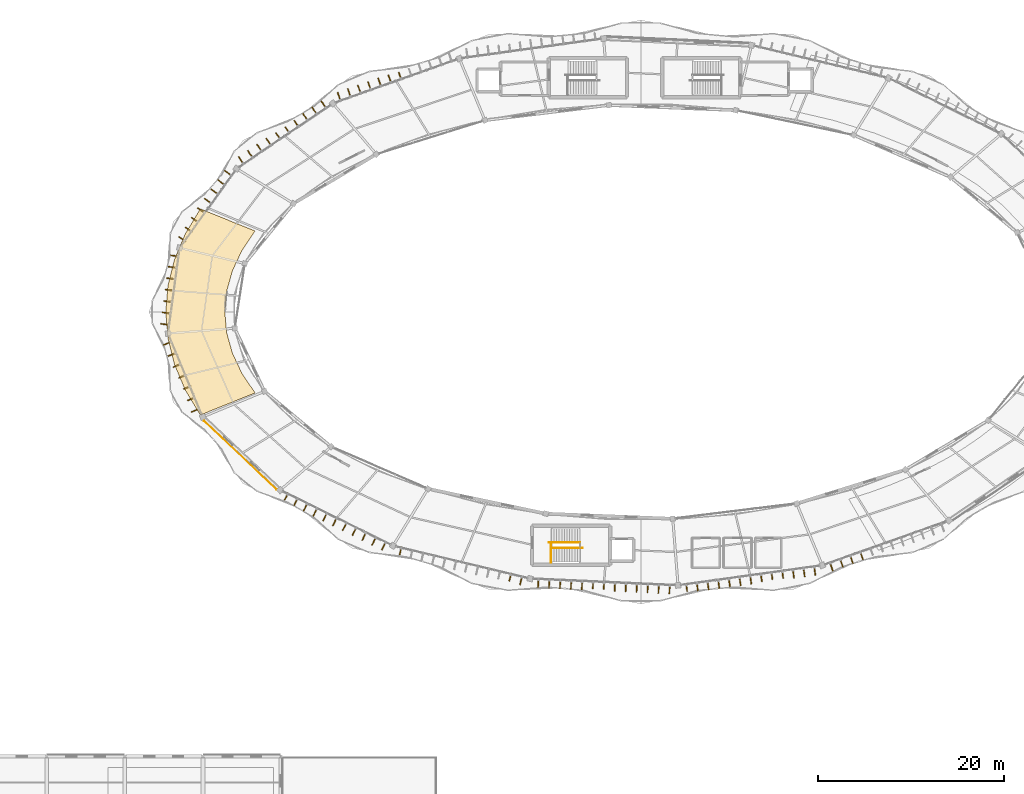
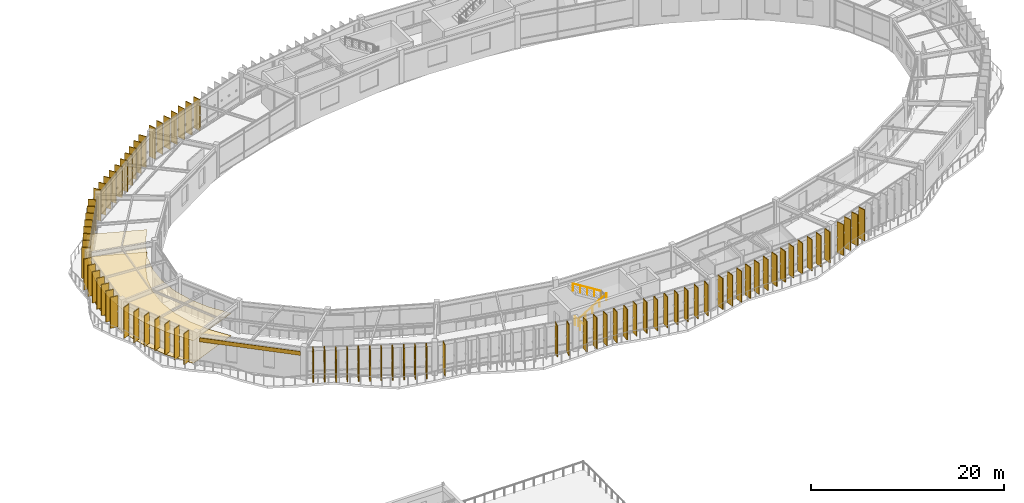
# One storey, part 79 of 83: 83 shading devices, 3 coverings, 3 railings.
"""IFC4 building model written with IfcOpenShell, lengths in metres."""

from ifc_helpers import new_model, si_unit, direction, frame, origin, origin_2d, place, context, subcontext, project, spatial, polyline, rectangle, circle, outline, extrude, material, layer, layer_set, type_object, element, save


model = new_model("IFC4")

# Units and contexts
model_context = context("Model", 3, precision=1e-05, world=origin(), true_north=direction((0.0, 1.0)))
body_context = subcontext(model_context, "Body", "Model", "MODEL_VIEW")
ifc_project = project(units=[si_unit("LENGTHUNIT", "METRE"), si_unit("AREAUNIT", "SQUARE_METRE"), si_unit("VOLUMEUNIT", "CUBIC_METRE"), si_unit("PLANEANGLEUNIT", "RADIAN"), si_unit("MASSUNIT", "GRAM", prefix="KILO"), si_unit("THERMODYNAMICTEMPERATUREUNIT", "KELVIN"), si_unit("POWERUNIT", "WATT")], contexts=[model_context])

# Site, building, storey
site_placement = place(None, origin())
site = spatial("IfcSite", under=ifc_project, at=site_placement, CompositionType="ELEMENT")
building_placement = place(site_placement, origin())
building = spatial("IfcBuilding", under=site, at=building_placement, Name="Darbajah Civic Hall", CompositionType="ELEMENT")
storey_placement = place(building_placement, frame((0.0, 0.0, 18.0)))
storey = spatial("IfcBuildingStorey", under=building, at=storey_placement, Name="L04", CompositionType="ELEMENT", Elevation=18.0)

# Railings
ifc_material_1 = material(Name="Brushed Bronze Stainless Steel", Category="steel")
railing_type_1 = type_object("IfcRailingType", Name="Brushed Bronze Handrail", PredefinedType="HANDRAIL", material=ifc_material_1)
railing_1_placement = place(storey_placement, frame((79.47998046875, 64.39990234375, 0.175048828125)))
element("IfcRailing", 1, at=railing_1_placement, inside=storey, type_object=railing_type_1, Name="ST03 L04 lower flight handrail", PredefinedType="HANDRAIL", context=body_context, shape_type="SweptSolid", body=[
    extrude(circle(Radius=0.02392578125, at=origin_2d()), frame((0.023193359375, 0.0, 0.910400390625), z_axis=(0.845944288966, 0.0, 0.533271281775), x_axis=(0.0, 1.0, 0.0)), (0.0, 0.0, 1.0), 3.91748046875),
    extrude(circle(Radius=0.02099609375, at=origin_2d()), origin(), (0.0, 0.0, 1.0), 0.867919921875),
    extrude(circle(Radius=0.02099609375, at=origin_2d()), frame((0.840087890625, 0.0, 0.529541015625)), (0.0, 0.0, 1.0), 0.867919921875),
    extrude(circle(Radius=0.02099609375, at=origin_2d()), frame((1.68017578125, 0.0, 1.05908203125)), (0.0, 0.0, 1.0), 0.867919921875),
    extrude(circle(Radius=0.02099609375, at=origin_2d()), frame((2.52001953125, 0.0, 1.588623046875)), (0.0, 0.0, 1.0), 0.867919921875),
    extrude(circle(Radius=0.02099609375, at=origin_2d()), frame((3.360107421875, 0.0, 2.1181640625)), (0.0, 0.0, 1.0), 0.867919921875),
])
railing_2_placement = place(storey_placement, frame((82.56005859375, 65.0, 2.27490234375)))
element("IfcRailing", 2, at=railing_2_placement, inside=storey, type_object=railing_type_1, Name="ST03 L04 upper flight handrail", PredefinedType="HANDRAIL", context=body_context, shape_type="SweptSolid", body=[
    extrude(circle(Radius=0.02392578125, at=origin_2d()), frame((-0.023193359375, 0.0, 0.910400390625), z_axis=(-0.845944288966, 0.0, 0.533271281775), x_axis=(0.0, -1.0, 0.0)), (0.0, 0.0, 1.0), 3.91748046875),
    extrude(circle(Radius=0.02099609375, at=origin_2d()), origin(), (0.0, 0.0, 1.0), 0.867919921875),
    extrude(circle(Radius=0.02099609375, at=origin_2d()), frame((-0.840087890625, 0.0, 0.529541015625)), (0.0, 0.0, 1.0), 0.867919921875),
    extrude(circle(Radius=0.02099609375, at=origin_2d()), frame((-1.68017578125, 0.0, 1.05908203125)), (0.0, 0.0, 1.0), 0.867919921875),
    extrude(circle(Radius=0.02099609375, at=origin_2d()), frame((-2.52001953125, 0.0, 1.588623046875)), (0.0, 0.0, 1.0), 0.867919921875),
    extrude(circle(Radius=0.02099609375, at=origin_2d()), frame((-3.360107421875, 0.0, 2.1181640625)), (0.0, 0.0, 1.0), 0.867919921875),
])

# Covering
ifc_material_2 = material(Name="Honed Qatari Limestone Terrazzo", Category="masonry")
ifc_layer_1 = layer(ifc_material_2, 0.030029296875, Name="Honed Qatari Limestone Terrazzo")
ifc_layer_set_1 = layer_set([ifc_layer_1], Name="Honed Qatari Limestone Terrazzo")
covering_type_1 = type_object("IfcCoveringType", Name="Honed Qatari Limestone Terrazzo Flooring", PredefinedType="FLOORING", material=ifc_layer_set_1)
covering_1_placement = place(storey_placement, origin())
element("IfcCovering", 3, at=covering_1_placement, inside=storey, type_object=covering_type_1, Name="L04 stone terrazzo flooring L04-V1-05", PredefinedType="FLOORING", context=body_context, shape_type="SweptSolid", body=[
    extrude(outline(polyline([(41.720947265625, 100.888427734375), (40.104248046875, 98.206787109375), (38.93896484375, 95.447998046875), (38.2353515625, 92.636962890625), (38.0, 89.800048828125), (38.2353515625, 86.962890625), (38.93896484375, 84.152099609375), (40.104248046875, 81.39306640625), (41.720947265625, 78.711669921875), (47.6083984375, 81.09033203125), (46.19287109375, 83.196533203125), (45.172119140625, 85.36376953125), (44.555908203125, 87.571533203125), (44.35009765625, 89.800048828125), (44.555908203125, 92.0283203125), (45.172119140625, 94.236328125), (46.19287109375, 96.4033203125), (47.6083984375, 98.509521484375), (41.720947265625, 100.888427734375)])), origin(), (0.0, 0.0, 1.0), 0.030029296875),
])

# Railing
ifc_material_3 = material(Name="Brushed Bronze and Laminated Safety Glass", Category="glass")
railing_type_2 = type_object("IfcRailingType", Name="Interior Guard Balustrade", PredefinedType="BALUSTRADE", material=ifc_material_3)
railing_3_placement = place(storey_placement, frame((79.429931640625, 62.85009765625, 0.0)))
element("IfcRailing", 4, at=railing_3_placement, inside=storey, type_object=railing_type_2, Name="ST03 L04 stair-well edge guard", PredefinedType="BALUSTRADE", context=body_context, shape_type="SweptSolid", body=[
    extrude(circle(Radius=0.02392578125, at=origin_2d()), frame((0.0, 0.02734375, 1.09619140625), z_axis=(0.0, 1.0, 0.0), x_axis=(-1.0, 0.0, 0.0)), (0.0, 0.0, 1.0), 2.09521484375),
    extrude(circle(Radius=0.02099609375, at=origin_2d()), origin(), (0.0, 0.0, 1.0), 1.068115234375),
    extrude(circle(Radius=0.02099609375, at=origin_2d()), frame((0.0, 1.074951171875, 0.0)), (0.0, 0.0, 1.0), 1.068115234375),
    extrude(circle(Radius=0.02099609375, at=origin_2d()), frame((0.0, 2.14990234375, 0.0)), (0.0, 0.0, 1.0), 1.068115234375),
])

# Coverings
ifc_material_4 = material(Name="Qatari Desert Limestone Ashlar", Category="masonry")
ifc_layer_2 = layer(ifc_material_4, 0.044921875, Name="Qatari Desert Limestone Ashlar")
ifc_layer_set_2 = layer_set([ifc_layer_2], Name="Qatari Desert Limestone Ashlar")
covering_type_2 = type_object("IfcCoveringType", Name="Limestone Facade Cladding", PredefinedType="CLADDING", material=ifc_layer_set_2)
covering_2_placement = place(storey_placement, frame((0.0, 0.0, 3.02001953125)))
element("IfcCovering", 5, at=covering_2_placement, inside=storey, type_object=covering_type_2, Name="L04 stone frieze cladding EW-V1O-L04-11", PredefinedType="CLADDING", context=body_context, shape_type="SweptSolid", body=[
    extrude(outline(polyline([(42.127685546875, 78.084716796875), (49.93359375, 70.716796875), (49.902587890625, 70.68408203125), (42.096923828125, 78.052001953125), (42.127685546875, 78.084716796875)])), origin(), (0.0, 0.0, 1.0), 0.5),
])
ifc_material_5 = material(Name="Perforated Acoustic Gypsum Board")
ifc_layer_3 = layer(ifc_material_5, 0.02490234375, Name="Perforated Acoustic Gypsum Board")
ifc_layer_set_3 = layer_set([ifc_layer_3], Name="Perforated Acoustic Gypsum Board")
covering_type_3 = type_object("IfcCoveringType", Name="Perforated Acoustic Gypsum Ceiling", PredefinedType="CEILING", material=ifc_layer_set_3)
covering_3_placement = place(storey_placement, frame((0.0, 0.0, 2.85009765625)))
element("IfcCovering", 6, at=covering_3_placement, inside=storey, type_object=covering_type_3, Name="L04 acoustic suspended ceiling L04-V1-05", PredefinedType="CEILING", context=body_context, shape_type="SweptSolid", body=[
    extrude(outline(polyline([(41.720947265625, 100.888427734375), (40.104248046875, 98.206787109375), (38.93896484375, 95.447998046875), (38.2353515625, 92.636962890625), (38.0, 89.800048828125), (38.2353515625, 86.962890625), (38.93896484375, 84.152099609375), (40.104248046875, 81.39306640625), (41.720947265625, 78.711669921875), (47.6083984375, 81.09033203125), (46.19287109375, 83.196533203125), (45.172119140625, 85.36376953125), (44.555908203125, 87.571533203125), (44.35009765625, 89.800048828125), (44.555908203125, 92.0283203125), (45.172119140625, 94.236328125), (46.19287109375, 96.4033203125), (47.6083984375, 98.509521484375), (41.720947265625, 100.888427734375)])), origin(), (0.0, 0.0, 1.0), 0.02490234375),
])

# Shading devices
ifc_material_6 = material(Name="Bronze Anodised Aluminium and Teak Composite", Category="aluminium")
shading_device_type = type_object("IfcShadingDeviceType", Name="Vertical Bronze Timber Shading Fin", PredefinedType="USERDEFINED", material=ifc_material_6)
for number, where, z_axis, x_axis, name in (
    (7, (63.2060546875, 115.16796875, 0.0), (0.0, 0.0, 1.0), (-0.334135882844, 0.94252491309, 0.0), "L04 vertical shading fin VF-06-6"),
    (8, (62.0859375, 114.8779296875, 0.0), (0.0, 0.0, 1.0), (-0.334135882844, 0.94252491309, 0.0), "L04 vertical shading fin VF-06-7"),
    (9, (60.97900390625, 114.551025390625, 0.0), (0.0, 0.0, 1.0), (-0.334135882844, 0.94252491309, 0.0), "L04 vertical shading fin VF-06-8"),
    (10, (59.892822265625, 114.166015625, 0.0), (0.0, 0.0, 1.0), (-0.334135882844, 0.94252491309, 0.0), "L04 vertical shading fin VF-06-9"),
    (11, (58.806396484375, 113.781005859375, 0.0), (0.0, 0.0, 1.0), (-0.334135882844, 0.94252491309, 0.0), "L04 vertical shading fin VF-06-10"),
    (12, (57.72021484375, 113.39599609375, 0.0), (0.0, 0.0, 1.0), (-0.334135882844, 0.94252491309, 0.0), "L04 vertical shading fin VF-06-11"),
    (13, (56.6337890625, 113.0107421875, 0.0), (0.0, 0.0, 1.0), (-0.334135882844, 0.94252491309, 0.0), "L04 vertical shading fin VF-06-12"),
    (14, (54.9462890625, 112.155029296875, 0.0), (0.0, 0.0, 1.0), (-0.560783509816, 0.827962472047, 0.0), "L04 vertical shading fin VF-07-1"),
    (15, (53.9599609375, 111.4873046875, 0.0), (0.0, 0.0, 1.0), (-0.560783509816, 0.827962472047, 0.0), "L04 vertical shading fin VF-07-2"),
    (16, (52.986083984375, 110.800537109375, 0.0), (0.0, 0.0, 1.0), (-0.560783509816, 0.827962472047, 0.0), "L04 vertical shading fin VF-07-3"),
    (17, (52.06396484375, 110.0380859375, 0.0), (0.0, 0.0, 1.0), (-0.560783509816, 0.827962472047, 0.0), "L04 vertical shading fin VF-07-4"),
    (18, (51.10009765625, 109.337158203125, 0.0), (0.0, 0.0, 1.0), (-0.560783509816, 0.827962472047, 0.0), "L04 vertical shading fin VF-07-5"),
    (19, (50.092041015625, 108.701171875, 0.0), (0.0, 0.0, 1.0), (-0.560783509816, 0.827962472047, 0.0), "L04 vertical shading fin VF-07-6"),
    (20, (49.04833984375, 108.1181640625, 0.0), (0.0, 0.0, 1.0), (-0.560783509816, 0.827962472047, 0.0), "L04 vertical shading fin VF-07-7"),
    (21, (48.042236328125, 107.479248046875, 0.0), (0.0, 0.0, 1.0), (-0.560783509816, 0.827962472047, 0.0), "L04 vertical shading fin VF-07-8"),
    (22, (47.055908203125, 106.811279296875, 0.0), (0.0, 0.0, 1.0), (-0.560783509816, 0.827962472047, 0.0), "L04 vertical shading fin VF-07-9"),
    (23, (46.069580078125, 106.143310546875, 0.0), (0.0, 0.0, 1.0), (-0.560783509816, 0.827962472047, 0.0), "L04 vertical shading fin VF-07-10"),
    (24, (44.6611328125, 104.765869140625, 0.0), (0.0, 0.0, 1.0), (-0.812999149039, 0.582264874145, 0.0), "L04 vertical shading fin VF-08-1"),
    (25, (43.94189453125, 103.76123046875, 0.0), (0.0, 0.0, 1.0), (-0.812999149039, 0.582264874145, 0.0), "L04 vertical shading fin VF-08-2"),
    (26, (43.222412109375, 102.7568359375, 0.0), (0.0, 0.0, 1.0), (-0.812999149039, 0.582264874145, 0.0), "L04 vertical shading fin VF-08-3"),
    (27, (42.503173828125, 101.752197265625, 0.0), (0.0, 0.0, 1.0), (-0.812999149039, 0.582264874145, 0.0), "L04 vertical shading fin VF-08-4"),
    (28, (41.783935546875, 100.747802734375, 0.0), (0.0, 0.0, 1.0), (-0.812999149039, 0.582264874145, 0.0), "L04 vertical shading fin VF-08-5"),
    (29, (41.115478515625, 99.706787109375, 0.0), (0.0, 0.0, 1.0), (-0.812999149039, 0.582264874145, 0.0), "L04 vertical shading fin VF-08-6"),
    (30, (40.468017578125, 98.65087890625, 0.0), (0.0, 0.0, 1.0), (-0.812999149039, 0.582264874145, 0.0), "L04 vertical shading fin VF-08-7"),
    (31, (39.76904296875, 97.631591796875, 0.0), (0.0, 0.0, 1.0), (-0.812999149039, 0.582264874145, 0.0), "L04 vertical shading fin VF-08-8"),
    (32, (38.961181640625, 95.83056640625, 0.0), (0.0, 0.0, 1.0), (-0.990865897387, 0.134850930274, 0.0), "L04 vertical shading fin VF-09-1"),
    (33, (38.707275390625, 94.61328125, 0.0), (0.0, 0.0, 1.0), (-0.990865897387, 0.134850930274, 0.0), "L04 vertical shading fin VF-09-2"),
    (34, (38.5400390625, 93.384521484375, 0.0), (0.0, 0.0, 1.0), (-0.990865897387, 0.134850930274, 0.0), "L04 vertical shading fin VF-09-3"),
    (35, (38.372802734375, 92.155517578125, 0.0), (0.0, 0.0, 1.0), (-0.990865897387, 0.134850930274, 0.0), "L04 vertical shading fin VF-09-4"),
    (36, (38.20556640625, 90.926513671875, 0.0), (0.0, 0.0, 1.0), (-0.990865897387, 0.134850930274, 0.0), "L04 vertical shading fin VF-09-5"),
    (37, (38.038330078125, 89.697509765625, 0.0), (0.0, 0.0, 1.0), (-0.990865897387, 0.134850930274, 0.0), "L04 vertical shading fin VF-09-6"),
    (38, (37.87109375, 88.468505859375, 0.0), (0.0, 0.0, 1.0), (-0.990865897387, 0.134850930274, 0.0), "L04 vertical shading fin VF-09-7"),
    (39, (38.14697265625, 86.407958984375, 0.0), (0.0, 0.0, 1.0), (-0.923612143954, -0.383328328644, 0.0), "L04 vertical shading fin VF-10-1"),
    (40, (38.64599609375, 85.20556640625, 0.0), (0.0, 0.0, 1.0), (-0.923612143954, -0.383328328644, 0.0), "L04 vertical shading fin VF-10-2"),
    (41, (39.195068359375, 84.02392578125, 0.0), (0.0, 0.0, 1.0), (-0.923612143954, -0.383328328644, 0.0), "L04 vertical shading fin VF-10-3"),
    (42, (39.784912109375, 82.859130859375, 0.0), (0.0, 0.0, 1.0), (-0.923612143954, -0.383328328644, 0.0), "L04 vertical shading fin VF-10-4"),
    (43, (40.303466796875, 81.664794921875, 0.0), (0.0, 0.0, 1.0), (-0.923612143954, -0.383328328644, 0.0), "L04 vertical shading fin VF-10-5"),
    (44, (40.74267578125, 80.437744140625, 0.0), (0.0, 0.0, 1.0), (-0.923612143954, -0.383328328644, 0.0), "L04 vertical shading fin VF-10-6"),
    (45, (41.14111328125, 79.193603515625, 0.0), (0.0, 0.0, 1.0), (-0.923612143954, -0.383328328644, 0.0), "L04 vertical shading fin VF-10-7"),
    (46, (50.966552734375, 69.942626953125, 0.0), (0.0, 0.0, 1.0), (-0.442914717678, -0.89656374724, 0.0), "L04 vertical shading fin VF-12-1"),
    (47, (52.00048828125, 69.3818359375, 0.0), (0.0, 0.0, 1.0), (-0.442914717678, -0.89656374724, 0.0), "L04 vertical shading fin VF-12-2"),
    (48, (53.007568359375, 68.7666015625, 0.0), (0.0, 0.0, 1.0), (-0.442914717678, -0.89656374724, 0.0), "L04 vertical shading fin VF-12-3"),
    (49, (54.05029296875, 68.2236328125, 0.0), (0.0, 0.0, 1.0), (-0.442914717678, -0.89656374724, 0.0), "L04 vertical shading fin VF-12-4"),
    (50, (55.10400390625, 67.703125, 0.0), (0.0, 0.0, 1.0), (-0.442914717678, -0.89656374724, 0.0), "L04 vertical shading fin VF-12-5"),
    (51, (56.15771484375, 67.1826171875, 0.0), (0.0, 0.0, 1.0), (-0.442914717678, -0.89656374724, 0.0), "L04 vertical shading fin VF-12-6"),
    (52, (57.211669921875, 66.661865234375, 0.0), (0.0, 0.0, 1.0), (-0.442914717678, -0.89656374724, 0.0), "L04 vertical shading fin VF-12-7"),
    (53, (58.265380859375, 66.141357421875, 0.0), (0.0, 0.0, 1.0), (-0.442914717678, -0.89656374724, 0.0), "L04 vertical shading fin VF-12-8"),
    (54, (59.319091796875, 65.62060546875, 0.0), (0.0, 0.0, 1.0), (-0.442914717678, -0.89656374724, 0.0), "L04 vertical shading fin VF-12-9"),
    (55, (60.373046875, 65.10009765625, 0.0), (0.0, 0.0, 1.0), (-0.442914717678, -0.89656374724, 0.0), "L04 vertical shading fin VF-12-10"),
    (56, (61.43408203125, 64.593994140625, 0.0), (0.0, 0.0, 1.0), (-0.442914717678, -0.89656374724, 0.0), "L04 vertical shading fin VF-12-11"),
    (57, (63.25634765625, 64.102294921875, 0.0), (0.0, 0.0, 1.0), (-0.232936200179, -0.972492018808, 0.0), "L04 vertical shading fin VF-13-1"),
    (58, (75.050537109375, 61.272216796875, 0.0), (0.0, 0.0, 1.0), (-0.232936200179, -0.972492018808, 0.0), "L04 vertical shading fin VF-13-11"),
    (59, (76.197509765625, 60.8544921875, 0.0), (0.0, 0.0, 1.0), (-0.232936200179, -0.972492018808, 0.0), "L04 vertical shading fin VF-13-12"),
    (60, (78.061279296875, 60.56005859375, 0.0), (0.0, 0.0, 1.0), (-0.045537340693, -0.998962637241, 0.0), "L04 vertical shading fin VF-14-1"),
    (61, (79.23828125, 60.506591796875, 0.0), (0.0, 0.0, 1.0), (-0.045537340693, -0.998962637241, 0.0), "L04 vertical shading fin VF-14-2"),
    (62, (80.41552734375, 60.452880859375, 0.0), (0.0, 0.0, 1.0), (-0.045537340693, -0.998962637241, 0.0), "L04 vertical shading fin VF-14-3"),
    (63, (81.5927734375, 60.3994140625, 0.0), (0.0, 0.0, 1.0), (-0.045537340693, -0.998962637241, 0.0), "L04 vertical shading fin VF-14-4"),
    (64, (82.77001953125, 60.345703125, 0.0), (0.0, 0.0, 1.0), (-0.045537340693, -0.998962637241, 0.0), "L04 vertical shading fin VF-14-5"),
    (65, (83.954345703125, 60.447265625, 0.0), (0.0, 0.0, 1.0), (-0.045537340693, -0.998962637241, 0.0), "L04 vertical shading fin VF-14-6"),
    (66, (85.131103515625, 60.3837890625, 0.0), (0.0, 0.0, 1.0), (-0.045537340693, -0.998962637241, 0.0), "L04 vertical shading fin VF-14-7"),
    (67, (86.301513671875, 60.184814453125, 0.0), (0.0, 0.0, 1.0), (-0.045537340693, -0.998962637241, 0.0), "L04 vertical shading fin VF-14-8"),
    (68, (87.478759765625, 60.13134765625, 0.0), (0.0, 0.0, 1.0), (-0.045537340693, -0.998962637241, 0.0), "L04 vertical shading fin VF-14-9"),
    (69, (88.656005859375, 60.07763671875, 0.0), (0.0, 0.0, 1.0), (-0.045537340693, -0.998962637241, 0.0), "L04 vertical shading fin VF-14-10"),
    (70, (89.833251953125, 60.024169921875, 0.0), (0.0, 0.0, 1.0), (-0.045537340693, -0.998962637241, 0.0), "L04 vertical shading fin VF-14-11"),
    (71, (91.010498046875, 59.970458984375, 0.0), (0.0, 0.0, 1.0), (-0.045537340693, -0.998962637241, 0.0), "L04 vertical shading fin VF-14-12"),
    (72, (92.1884765625, 59.932373046875, 0.0), (0.0, 0.0, 1.0), (-0.045537340693, -0.998962637241, 0.0), "L04 vertical shading fin VF-14-13"),
    (73, (94.021484375, 60.1728515625, 0.0), (0.0, 0.0, 1.0), (0.137617420457, -0.990485459553, 0.0), "L04 vertical shading fin VF-15-1"),
    (74, (95.186767578125, 60.20263671875, 0.0), (0.0, 0.0, 1.0), (0.137617420457, -0.990485459553, 0.0), "L04 vertical shading fin VF-15-2"),
    (75, (96.340087890625, 60.32080078125, 0.0), (0.0, 0.0, 1.0), (0.137617420457, -0.990485459553, 0.0), "L04 vertical shading fin VF-15-3"),
    (76, (97.487548828125, 60.47998046875, 0.0), (0.0, 0.0, 1.0), (0.137617420457, -0.990485459553, 0.0), "L04 vertical shading fin VF-15-4"),
    (77, (98.635009765625, 60.639404296875, 0.0), (0.0, 0.0, 1.0), (0.137617420457, -0.990485459553, 0.0), "L04 vertical shading fin VF-15-5"),
    (78, (99.782470703125, 60.798828125, 0.0), (0.0, 0.0, 1.0), (0.137617420457, -0.990485459553, 0.0), "L04 vertical shading fin VF-15-6"),
    (79, (100.929931640625, 60.9580078125, 0.0), (0.0, 0.0, 1.0), (0.137617420457, -0.990485459553, 0.0), "L04 vertical shading fin VF-15-7"),
    (80, (102.068115234375, 61.184814453125, 0.0), (0.0, 0.0, 1.0), (0.137617420457, -0.990485459553, 0.0), "L04 vertical shading fin VF-15-8"),
    (81, (103.200927734375, 61.44921875, 0.0), (0.0, 0.0, 1.0), (0.137617420457, -0.990485459553, 0.0), "L04 vertical shading fin VF-15-9"),
    (82, (104.355224609375, 61.559814453125, 0.0), (0.0, 0.0, 1.0), (0.137617420457, -0.990485459553, 0.0), "L04 vertical shading fin VF-15-10"),
    (83, (105.52001953125, 61.595703125, 0.0), (0.0, 0.0, 1.0), (0.137617420457, -0.990485459553, 0.0), "L04 vertical shading fin VF-15-11"),
    (84, (106.66748046875, 61.7548828125, 0.0), (0.0, 0.0, 1.0), (0.137617420457, -0.990485459553, 0.0), "L04 vertical shading fin VF-15-12"),
    (85, (107.81494140625, 61.914306640625, 0.0), (0.0, 0.0, 1.0), (0.137617420457, -0.990485459553, 0.0), "L04 vertical shading fin VF-15-13"),
    (86, (109.61669921875, 62.353515625, 0.0), (0.0, 0.0, 1.0), (0.334135882844, -0.94252491309, 0.0), "L04 vertical shading fin VF-16-1"),
    (87, (110.702880859375, 62.73876953125, 0.0), (0.0, 0.0, 1.0), (0.334135882844, -0.94252491309, 0.0), "L04 vertical shading fin VF-16-2"),
    (88, (111.789306640625, 63.123779296875, 0.0), (0.0, 0.0, 1.0), (0.334135882844, -0.94252491309, 0.0), "L04 vertical shading fin VF-16-3"),
    (89, (112.85791015625, 63.55908203125, 0.0), (0.0, 0.0, 1.0), (0.334135882844, -0.94252491309, 0.0), "L04 vertical shading fin VF-16-4"),
):
    element("IfcShadingDevice", number, at=place(storey_placement, frame(where, z_axis=z_axis, x_axis=x_axis)), inside=storey, type_object=shading_device_type, Name=name, ObjectType="VERTICAL FIN", PredefinedType="USERDEFINED", context=body_context, shape_type="SweptSolid", body=[
        extrude(rectangle(XDim=0.85009765625, YDim=0.090087890625, at=origin_2d()), origin(), (0.0, 0.0, 1.0), 3.919921875),
    ])

save(model, "model.ifc")
